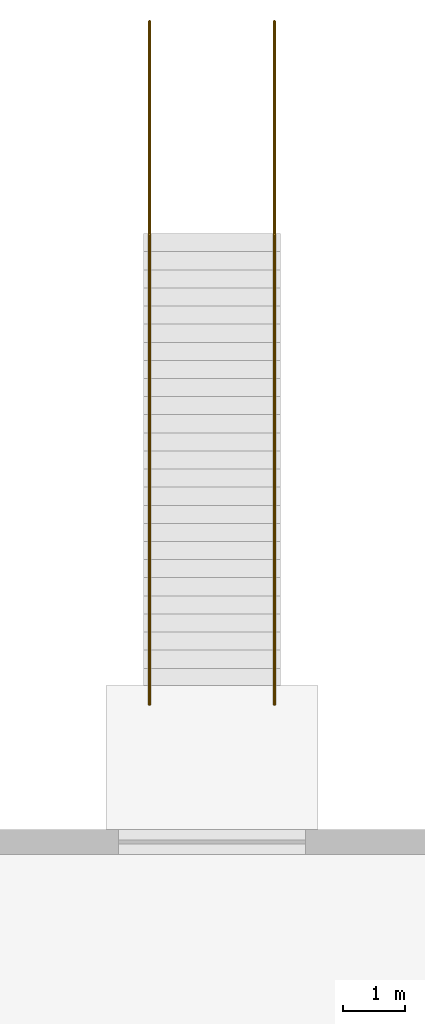
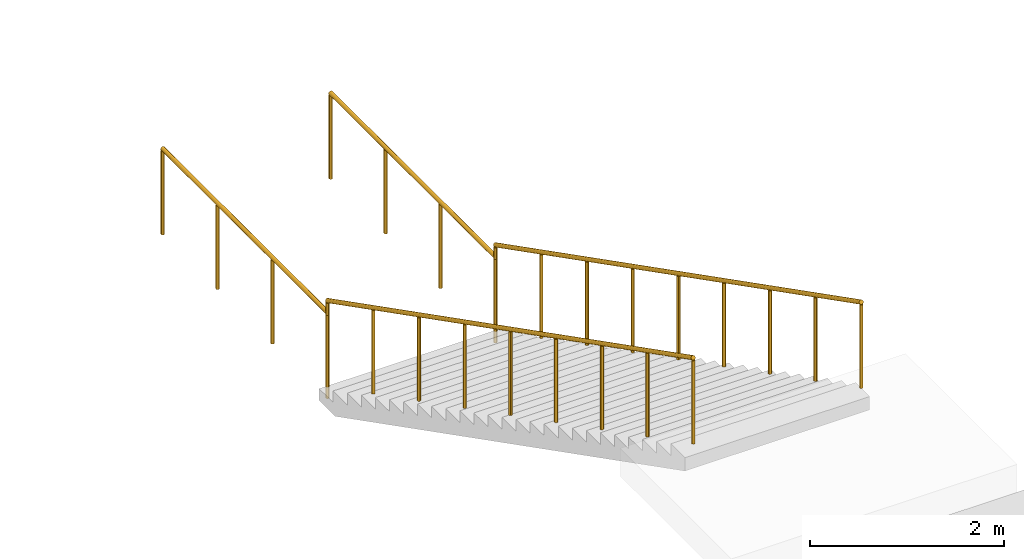
# One storey, part 24 of 24: 4 railings.
"""IFC4 building model written with IfcOpenShell, lengths in metres."""

import ifcopenshell
import ifcopenshell.guid

model = None  # the IFC model being written
_history = None  # IfcOwnerHistory: only IFC2X3 demands one
_inside = {}  # id of a spatial element -> (the spatial element, [elements in it])
_under = {}  # id of a project, library or spatial element -> (it, [spatial elements below it])
_declared = {}  # id of a project -> (the project, [libraries it declares])
_typed = {}  # id of a type object -> (the type object, [elements of that type])
_made_of = {}  # id of a material, layer set ... -> (it, [elements and type objects made of it])


def new_model(schema):
    """Start an empty IFC model of exactly this schema.

    Asked for "IFC4X3", IfcOpenShell would pick the latest addendum, in which some entities
    have other attributes; the version numbers below select the first issue.
    IFC2X3 requires an IfcOwnerHistory on every rooted entity: one is made here for all.
    """
    global model, _history
    if schema == "IFC4X3":
        model = ifcopenshell.file(schema_version=(4, 3, 0, 0))
    else:
        model = ifcopenshell.file(schema=schema)
    _inside.clear()
    _under.clear()
    _declared.clear()
    _typed.clear()
    _made_of.clear()
    _history = None
    if model.schema == "IFC2X3":
        org = make("IfcOrganization", Name="unknown")
        user = make(
            "IfcPersonAndOrganization",
            ThePerson=make("IfcPerson", FamilyName="unknown"),
            TheOrganization=org,
        )
        app = make(
            "IfcApplication",
            ApplicationDeveloper=org,
            Version="unknown",
            ApplicationFullName="unknown",
            ApplicationIdentifier="unknown",
        )
        _history = make(
            "IfcOwnerHistory",
            OwningUser=user,
            OwningApplication=app,
            ChangeAction="ADDED",
            CreationDate=0,
        )
    return model


def make(cls, **values):
    """One entity of the class cls with the attributes given. An attribute that is None is left unset."""
    return model.create_entity(
        cls, **{name: value for name, value in values.items() if value is not None}
    )


def rooted(cls, **values):
    """An entity with a GlobalId (a new one), such as an element, a storey or a relation."""
    return make(cls, GlobalId=ifcopenshell.guid.new(), OwnerHistory=_history, **values)


def si_unit(unit_type, name, prefix=None):
    """IfcSIUnit, for example si_unit("LENGTHUNIT", "METRE", prefix="MILLI")."""
    return make("IfcSIUnit", UnitType=unit_type, Prefix=prefix, Name=name)


def assignment(units):
    """IfcUnitAssignment: the units of a project."""
    return None if units is None else make("IfcUnitAssignment", Units=units)


def point(xyz):
    """IfcCartesianPoint."""
    return None if xyz is None else make("IfcCartesianPoint", Coordinates=xyz)


def direction(xyz):
    """IfcDirection."""
    return None if xyz is None else make("IfcDirection", DirectionRatios=xyz)


def frame(location, z_axis=None, x_axis=None):
    """IfcAxis2Placement3D, a coordinate frame: its origin and axes. An axis left out is left unset."""
    return make(
        "IfcAxis2Placement3D",
        Location=point(location),
        Axis=direction(z_axis),
        RefDirection=direction(x_axis),
    )


def frame_2d(location, x_axis=None):
    """IfcAxis2Placement2D, a coordinate frame in the plane: its origin and x axis."""
    return make(
        "IfcAxis2Placement2D", Location=point(location), RefDirection=direction(x_axis)
    )


def origin():
    """The frame at (0, 0, 0) with its axes left unset."""
    return frame((0.0, 0.0, 0.0))


def origin_2d():
    """The frame at (0, 0) in the plane with its x axis left unset."""
    return frame_2d((0.0, 0.0))


def place(relative_to, where):
    """IfcLocalPlacement: puts the frame where relative to a parent placement (None: the world)."""
    return make(
        "IfcLocalPlacement", PlacementRelTo=relative_to, RelativePlacement=where
    )


def context(
    kind, dimensions, precision=None, world=None, true_north=None, identifier=None
):
    """IfcGeometricRepresentationContext, for example the 3D "Model" context."""
    return make(
        "IfcGeometricRepresentationContext",
        ContextIdentifier=identifier,
        ContextType=kind,
        CoordinateSpaceDimension=dimensions,
        Precision=precision,
        WorldCoordinateSystem=world,
        TrueNorth=true_north,
    )


def subcontext(parent, identifier, kind, view, scale=None):
    """IfcGeometricRepresentationSubContext, for example "Body" below "Model"."""
    return make(
        "IfcGeometricRepresentationSubContext",
        ContextIdentifier=identifier,
        ContextType=kind,
        ParentContext=parent,
        TargetScale=scale,
        TargetView=view,
    )


def project(units=None, contexts=None):
    """IfcProject with its units and contexts."""
    return rooted(
        "IfcProject",
        Name="project",
        RepresentationContexts=contexts,
        UnitsInContext=assignment(units),
    )


def spatial(cls, under=None, at=None, **own):
    """A site, building, storey or space (cls), placed at a placement, below another one or the project."""
    s = rooted(cls, ObjectPlacement=at, **own)
    if under is not None:
        _under.setdefault(under.id(), (under, []))[1].append(s)
    return s


def profile(cls, at=None, kind="AREA", **sizes):
    """A parametric profile (cls). Its sizes go by their IFC names, for example OverallWidth=200.0."""
    return make(cls, ProfileType=kind, Position=at, **sizes)


def circle(**sizes):
    """IfcCircleProfileDef."""
    return profile("IfcCircleProfileDef", **sizes)


def extrude(swept, where, along, depth):
    """IfcExtrudedAreaSolid: the profile swept, set in the frame where, extruded along a direction by depth."""
    return make(
        "IfcExtrudedAreaSolid",
        SweptArea=swept,
        Position=where,
        ExtrudedDirection=direction(along),
        Depth=depth,
    )


def shape(context_of_items, identifier, shape_type, items):
    """IfcShapeRepresentation: the items that make up one representation, for example the "Body"."""
    return make(
        "IfcShapeRepresentation",
        ContextOfItems=context_of_items,
        RepresentationIdentifier=identifier,
        RepresentationType=shape_type,
        Items=items,
    )


def material(Name=None, Category=None):
    """IfcMaterial."""
    return make("IfcMaterial", Name=Name, Category=Category)


def made_of(thing, what):
    """Note that an element or type object is made of a material, layer set ...; save() writes the relation."""
    if what is not None:
        _made_of.setdefault(what.id(), (what, []))[1].append(thing)
    return thing


def type_object(cls, material=None, **own):
    """A type object (cls), such as IfcWallType, which elements share."""
    return made_of(rooted(cls, **own), material)


def element(
    cls,
    number,
    at=None,
    inside=None,
    cuts=None,
    type_object=None,
    material=None,
    context=None,
    identifier="Body",
    shape_type=None,
    held_by="IfcProductDefinitionShape",
    body=None,
    shapes=None,
    **own,
):
    """One element of the class cls, such as IfcWall. Its Tag is "e" and its number.

    at: its placement. inside: the storey or other place that contains it. cuts: it is an
    opening in that element (IfcRelVoidsElement). A single representation is given by context,
    identifier, shape_type and body (its items); several are given by shapes. held_by: the class
    of the entity that holds the representations. save() writes the other relations.
    """
    e = rooted(cls, Tag="e%d" % number, ObjectPlacement=at, **own)
    if body is not None:
        shapes = [shape(context, identifier, shape_type, body)]
    if shapes is not None:
        e.Representation = make(held_by, Representations=shapes)
    if inside is not None:
        _inside.setdefault(inside.id(), (inside, []))[1].append(e)
    if cuts is not None:
        rooted(
            "IfcRelVoidsElement", RelatingBuildingElement=cuts, RelatedOpeningElement=e
        )
    if type_object is not None:
        _typed.setdefault(type_object.id(), (type_object, []))[1].append(e)
    return made_of(e, material)


def aggregate(whole, parts):
    """IfcRelAggregates: a whole, such as a stair, and the parts it consists of."""
    return rooted("IfcRelAggregates", RelatingObject=whole, RelatedObjects=parts)


def save(model, path):
    """Write the relations noted so far, then the file.

    IfcRelAggregates (storeys below a building ...), IfcRelContainedInSpatialStructure (elements
    in a storey), IfcRelDefinesByType, IfcRelAssociatesMaterial and IfcRelDeclares: one each for
    every whole, place, type object, material and project.
    """
    for whole, parts in _under.values():
        aggregate(whole, parts)
    for where, things in _inside.values():
        rooted(
            "IfcRelContainedInSpatialStructure",
            RelatedElements=things,
            RelatingStructure=where,
        )
    for kind, things in _typed.values():
        rooted("IfcRelDefinesByType", RelatedObjects=things, RelatingType=kind)
    for what, things in _made_of.values():
        rooted("IfcRelAssociatesMaterial", RelatedObjects=things, RelatingMaterial=what)
    for by, libraries in _declared.values():
        rooted("IfcRelDeclares", RelatingContext=by, RelatedDefinitions=libraries)
    model.write(path)


model = new_model("IFC4")

# Units and contexts
model_context = context("Model", 3, precision=1e-05, world=origin(), true_north=direction((0.0, 1.0)))
body_context = subcontext(model_context, "Body", "Model", "MODEL_VIEW")
ifc_project = project(units=[si_unit("LENGTHUNIT", "METRE"), si_unit("AREAUNIT", "SQUARE_METRE"), si_unit("VOLUMEUNIT", "CUBIC_METRE"), si_unit("PLANEANGLEUNIT", "RADIAN"), si_unit("MASSUNIT", "GRAM", prefix="KILO")], contexts=[model_context])

# Site, building, storey
site_placement = place(None, origin())
site = spatial("IfcSite", under=ifc_project, at=site_placement, CompositionType="ELEMENT")
building_placement = place(site_placement, origin())
building = spatial("IfcBuilding", under=site, at=building_placement, Name="Ostrander Bayou Hotel Tower", CompositionType="ELEMENT")
storey_placement = place(building_placement, frame((0.0, 0.0, 6.0)))
storey = spatial("IfcBuildingStorey", under=building, at=storey_placement, Name="L01", CompositionType="ELEMENT", Elevation=6.0)

# Railings
ifc_material = material(Name="Stainless steel and clear glass", Category="steel")
railing_type = type_object("IfcRailingType", Name="GR1 guard 1100 mm", PredefinedType="GUARDRAIL", material=ifc_material)
railing_1_placement = place(storey_placement, frame((5.199951171875, 46.5400390625, 0.0)))
element("IfcRailing", 1, at=railing_1_placement, inside=storey, type_object=railing_type, Name="GR1 deck stair guard NLT", PredefinedType="GUARDRAIL", context=body_context, shape_type="SweptSolid", body=[
    extrude(circle(Radius=0.02490234375, at=origin_2d()), frame((0.0, 0.0, 1.0751953125), z_axis=(0.0, -1.0, 0.0), x_axis=(1.0, 0.0, 0.0)), (0.0, 0.0, 1.0), 3.400146484375),
    extrude(circle(Radius=0.02001953125, at=origin_2d()), origin(), (0.0, 0.0, 1.0), 1.050048828125),
    extrude(circle(Radius=0.02001953125, at=origin_2d()), frame((0.0, -1.13330078125, 0.0)), (0.0, 0.0, 1.0), 1.050048828125),
    extrude(circle(Radius=0.02001953125, at=origin_2d()), frame((0.0, -2.266845703125, 0.0)), (0.0, 0.0, 1.0), 1.050048828125),
    extrude(circle(Radius=0.02001953125, at=origin_2d()), frame((0.0, -3.400146484375, 0.0)), (0.0, 0.0, 1.0), 1.050048828125),
])
railing_2_placement = place(storey_placement, frame((5.199951171875, 43.139892578125, 0.148193359375)))
element("IfcRailing", 2, at=railing_2_placement, inside=storey, type_object=railing_type, Name="GR1 deck stair guard NLB", PredefinedType="GUARDRAIL", context=body_context, shape_type="SweptSolid", body=[
    extrude(circle(Radius=0.02490234375, at=origin_2d()), frame((0.0, 0.0, 1.0751953125), z_axis=(0.0, -0.89052399385, 0.454936277271), x_axis=(1.0, 0.0, 0.0)), (0.0, 0.0, 1.0), 8.466796875),
    extrude(circle(Radius=0.02001953125, at=origin_2d()), origin(), (0.0, 0.0, 1.0), 1.050048828125),
    extrude(circle(Radius=0.02001953125, at=origin_2d()), frame((0.0, -0.9423828125, 0.4814453125)), (0.0, 0.0, 1.0), 1.050048828125),
    extrude(circle(Radius=0.02001953125, at=origin_2d()), frame((0.0, -1.885009765625, 0.962890625)), (0.0, 0.0, 1.0), 1.050048828125),
    extrude(circle(Radius=0.02001953125, at=origin_2d()), frame((0.0, -2.827392578125, 1.4443359375)), (0.0, 0.0, 1.0), 1.050048828125),
    extrude(circle(Radius=0.02001953125, at=origin_2d()), frame((0.0, -3.77001953125, 1.92578125)), (0.0, 0.0, 1.0), 1.050048828125),
    extrude(circle(Radius=0.02001953125, at=origin_2d()), frame((0.0, -4.71240234375, 2.407470703125)), (0.0, 0.0, 1.0), 1.050048828125),
    extrude(circle(Radius=0.02001953125, at=origin_2d()), frame((0.0, -5.65478515625, 2.888916015625)), (0.0, 0.0, 1.0), 1.050048828125),
    extrude(circle(Radius=0.02001953125, at=origin_2d()), frame((0.0, -6.597412109375, 3.370361328125)), (0.0, 0.0, 1.0), 1.050048828125),
    extrude(circle(Radius=0.02001953125, at=origin_2d()), frame((0.0, -7.539794921875, 3.851806640625)), (0.0, 0.0, 1.0), 1.050048828125),
])
railing_3_placement = place(storey_placement, frame((3.199951171875, 46.5400390625, 0.0)))
element("IfcRailing", 3, at=railing_3_placement, inside=storey, type_object=railing_type, Name="GR1 deck stair guard NRT", PredefinedType="GUARDRAIL", context=body_context, shape_type="SweptSolid", body=[
    extrude(circle(Radius=0.02490234375, at=origin_2d()), frame((0.0, 0.0, 1.0751953125), z_axis=(0.0, -1.0, 0.0), x_axis=(1.0, 0.0, 0.0)), (0.0, 0.0, 1.0), 3.400146484375),
    extrude(circle(Radius=0.02001953125, at=origin_2d()), origin(), (0.0, 0.0, 1.0), 1.050048828125),
    extrude(circle(Radius=0.02001953125, at=origin_2d()), frame((0.0, -1.13330078125, 0.0)), (0.0, 0.0, 1.0), 1.050048828125),
    extrude(circle(Radius=0.02001953125, at=origin_2d()), frame((0.0, -2.266845703125, 0.0)), (0.0, 0.0, 1.0), 1.050048828125),
    extrude(circle(Radius=0.02001953125, at=origin_2d()), frame((0.0, -3.400146484375, 0.0)), (0.0, 0.0, 1.0), 1.050048828125),
])
railing_4_placement = place(storey_placement, frame((3.199951171875, 43.139892578125, 0.148193359375)))
element("IfcRailing", 4, at=railing_4_placement, inside=storey, type_object=railing_type, Name="GR1 deck stair guard NRB", PredefinedType="GUARDRAIL", context=body_context, shape_type="SweptSolid", body=[
    extrude(circle(Radius=0.02490234375, at=origin_2d()), frame((0.0, 0.0, 1.0751953125), z_axis=(0.0, -0.89052399385, 0.454936277271), x_axis=(1.0, 0.0, 0.0)), (0.0, 0.0, 1.0), 8.466796875),
    extrude(circle(Radius=0.02001953125, at=origin_2d()), origin(), (0.0, 0.0, 1.0), 1.050048828125),
    extrude(circle(Radius=0.02001953125, at=origin_2d()), frame((0.0, -0.9423828125, 0.4814453125)), (0.0, 0.0, 1.0), 1.050048828125),
    extrude(circle(Radius=0.02001953125, at=origin_2d()), frame((0.0, -1.885009765625, 0.962890625)), (0.0, 0.0, 1.0), 1.050048828125),
    extrude(circle(Radius=0.02001953125, at=origin_2d()), frame((0.0, -2.827392578125, 1.4443359375)), (0.0, 0.0, 1.0), 1.050048828125),
    extrude(circle(Radius=0.02001953125, at=origin_2d()), frame((0.0, -3.77001953125, 1.92578125)), (0.0, 0.0, 1.0), 1.050048828125),
    extrude(circle(Radius=0.02001953125, at=origin_2d()), frame((0.0, -4.71240234375, 2.407470703125)), (0.0, 0.0, 1.0), 1.050048828125),
    extrude(circle(Radius=0.02001953125, at=origin_2d()), frame((0.0, -5.65478515625, 2.888916015625)), (0.0, 0.0, 1.0), 1.050048828125),
    extrude(circle(Radius=0.02001953125, at=origin_2d()), frame((0.0, -6.597412109375, 3.370361328125)), (0.0, 0.0, 1.0), 1.050048828125),
    extrude(circle(Radius=0.02001953125, at=origin_2d()), frame((0.0, -7.539794921875, 3.851806640625)), (0.0, 0.0, 1.0), 1.050048828125),
])

save(model, "model.ifc")
